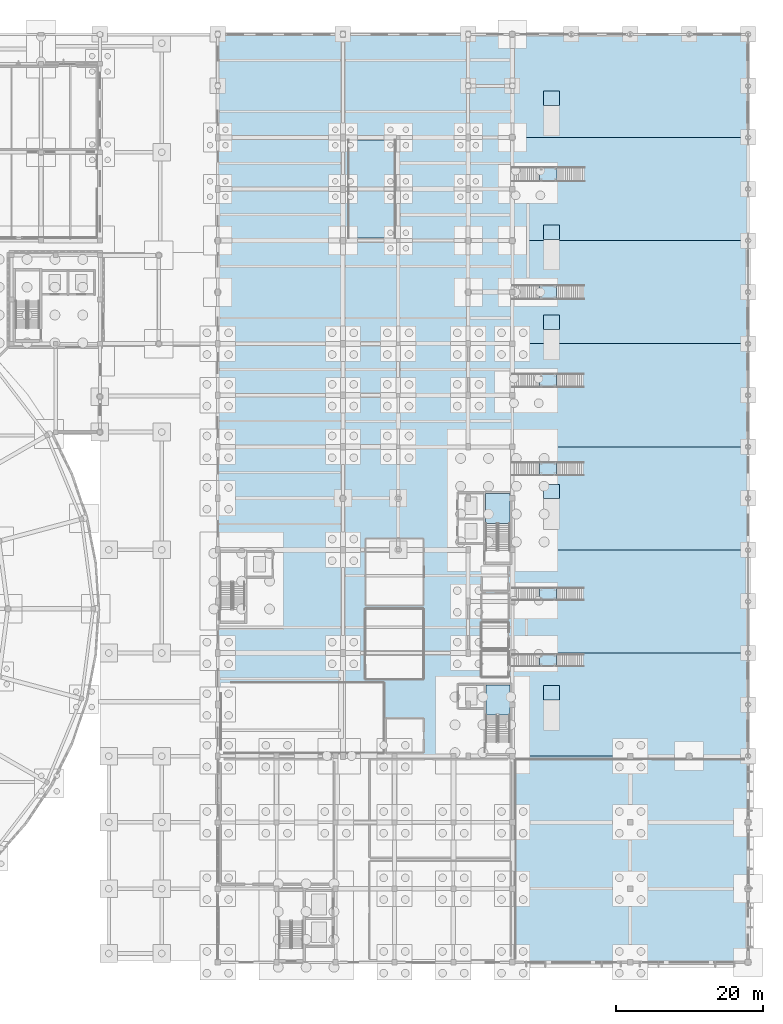
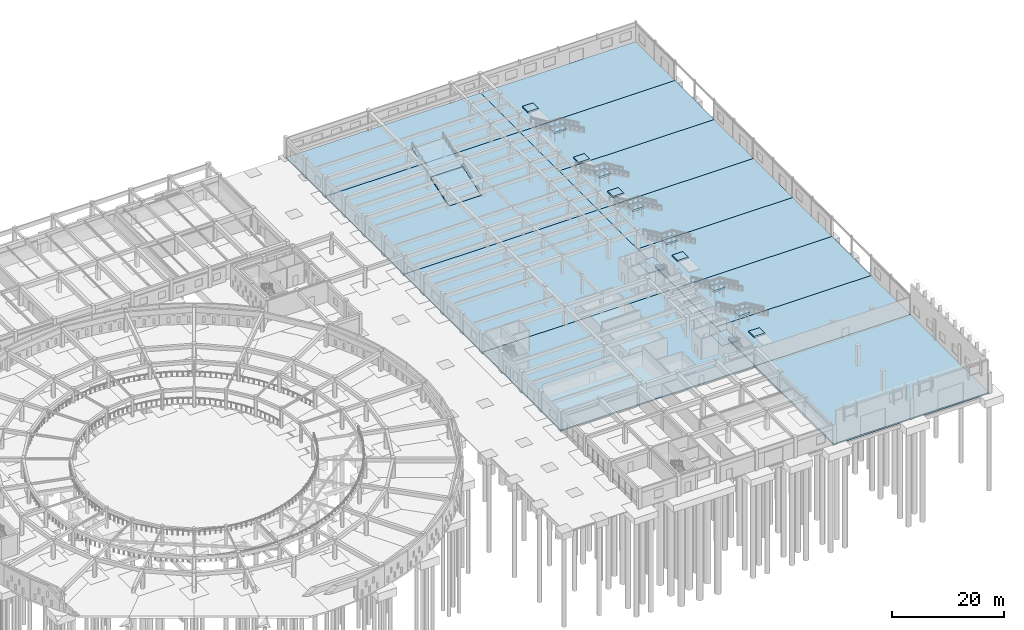
# One storey, part 40 of 84: 27 slabs, 8 elements without a shape of their own.
"""IFC4 building model written with IfcOpenShell, lengths in metres."""

from ifc_helpers import new_model, si_unit, direction, frame, origin, place, context, subcontext, project, spatial, polyline, outline, extrude, material, layer, layer_set, type_object, element, aggregate, save


model = new_model("IFC4")

# Units and contexts
model_context = context("Model", 3, precision=1e-05, world=origin(), true_north=direction((0.0, 1.0)))
body_context = subcontext(model_context, "Body", "Model", "MODEL_VIEW")
ifc_project = project(units=[si_unit("LENGTHUNIT", "METRE"), si_unit("AREAUNIT", "SQUARE_METRE"), si_unit("VOLUMEUNIT", "CUBIC_METRE"), si_unit("PLANEANGLEUNIT", "RADIAN"), si_unit("MASSUNIT", "GRAM", prefix="KILO")], contexts=[model_context])

# Site, building, storey
site_placement = place(None, origin())
site = spatial("IfcSite", under=ifc_project, at=site_placement, CompositionType="ELEMENT")
building_placement = place(site_placement, origin())
building = spatial("IfcBuilding", under=site, at=building_placement, Name="Larkveld Mobility Hub", CompositionType="ELEMENT")
storey_placement = place(building_placement, origin())
storey = spatial("IfcBuildingStorey", under=building, at=storey_placement, Name="L00", CompositionType="ELEMENT", Elevation=0.0)

# Slabs
ifc_material_1 = material(Name="Concrete C40/50", Category="concrete")
ifc_layer_1 = layer(ifc_material_1, 0.27490234375, Name="Concrete C40/50", Category="concrete")
ifc_layer_set_1 = layer_set([ifc_layer_1], Name="Concrete C40/50")
slab_type_1 = type_object("IfcSlabType", Name="SL-BS-275", PredefinedType="BASESLAB", material=ifc_layer_set_1)
slab_1_placement = place(storey_placement, frame((0.0, 0.0, -0.27490234375)))
element("IfcSlab", 1, at=slab_1_placement, inside=storey, type_object=slab_type_1, Name="EV Wing and Sports Pavilion Slab L00-132", PredefinedType="BASESLAB", context=body_context, shape_type="SweptSolid", body=[
    extrude(outline(polyline([(112.0, 28.0), (152.0, 28.0), (152.0, 56.0), (112.0, 56.0), (112.0, 28.0)])), origin(), (0.0, 0.0, 1.0), 0.27490234375),
])
slab_2_placement = place(storey_placement, frame((0.0, 0.0, -0.27490234375)))
element("IfcSlab", 2, at=slab_2_placement, inside=storey, type_object=slab_type_1, Name="EV Wing and Sports Pavilion Slab L00-133", PredefinedType="BASESLAB", context=body_context, shape_type="SweptSolid", body=[
    extrude(outline(polyline([(112.0, 56.0), (152.0, 56.0), (152.0, 84.0), (112.0, 84.0), (112.0, 56.0)])), origin(), (0.0, 0.0, 1.0), 0.27490234375),
])
slab_3_placement = place(storey_placement, frame((0.0, 0.0, -0.27490234375)))
element("IfcSlab", 3, at=slab_3_placement, inside=storey, type_object=slab_type_1, Name="EV Wing and Sports Pavilion Slab L00-134", PredefinedType="BASESLAB", context=body_context, shape_type="SweptSolid", body=[
    extrude(outline(polyline([(112.0, 84.0), (152.0, 84.0), (152.0, 112.0), (112.0, 112.0), (112.0, 84.0)]), holes=[polyline([(129.580078125, 98.330078125), (129.580078125, 99.14990234375), (136.219970703125, 99.14990234375), (136.219970703125, 98.330078125), (129.580078125, 98.330078125)])]), origin(), (0.0, 0.0, 1.0), 0.27490234375),
])
slab_4_placement = place(storey_placement, frame((0.0, 0.0, -0.27490234375)))
element("IfcSlab", 4, at=slab_4_placement, inside=storey, type_object=slab_type_1, Name="EV Wing and Sports Pavilion Slab L00-135", PredefinedType="BASESLAB", context=body_context, shape_type="SweptSolid", body=[
    extrude(outline(polyline([(112.0, 112.0), (152.0, 112.0), (152.0, 126.0), (112.0, 126.0), (112.0, 112.0)])), origin(), (0.0, 0.0, 1.0), 0.27490234375),
])
ifc_layer_2 = layer(ifc_material_1, 0.300048828125, Name="Concrete C40/50", Category="concrete")
ifc_layer_set_2 = layer_set([ifc_layer_2], Name="Concrete C40/50")
slab_type_2 = type_object("IfcSlabType", Name="SL-BS-300", PredefinedType="BASESLAB", material=ifc_layer_set_2)
slab_5_placement = place(storey_placement, frame((0.0, 0.0, -0.300048828125)))
element("IfcSlab", 5, at=slab_5_placement, inside=storey, type_object=slab_type_2, Name="Bus Concourse Base Slab L00-114", PredefinedType="BASESLAB", context=body_context, shape_type="SweptSolid", body=[
    extrude(outline(polyline([(152.0, 42.0), (184.0, 42.0), (184.0, 56.0), (152.0, 56.0), (152.0, 42.0)])), origin(), (0.0, 0.0, 1.0), 0.300048828125),
])
slab_6_placement = place(storey_placement, frame((0.0, 0.0, -0.300048828125)))
element("IfcSlab", 6, at=slab_6_placement, inside=storey, type_object=slab_type_2, Name="Bus Concourse Base Slab L00-116", PredefinedType="BASESLAB", context=body_context, shape_type="SweptSolid", body=[
    extrude(outline(polyline([(152.0, 70.0), (184.0, 70.0), (184.0, 84.0), (152.0, 84.0), (152.0, 70.0)])), origin(), (0.0, 0.0, 1.0), 0.300048828125),
])
slab_7_placement = place(storey_placement, frame((0.0, 0.0, -0.300048828125)))
element("IfcSlab", 7, at=slab_7_placement, inside=storey, type_object=slab_type_2, Name="Bus Concourse Base Slab L00-118", PredefinedType="BASESLAB", context=body_context, shape_type="SweptSolid", body=[
    extrude(outline(polyline([(152.0, 98.0), (184.0, 98.0), (184.0, 112.0), (152.0, 112.0), (152.0, 98.0)])), origin(), (0.0, 0.0, 1.0), 0.300048828125),
])
slab_8_placement = place(storey_placement, frame((0.0, 0.0, -0.300048828125)))
element("IfcSlab", 8, at=slab_8_placement, inside=storey, type_object=slab_type_2, Name="Service Centre Slab L00-121", PredefinedType="BASESLAB", context=body_context, shape_type="SweptSolid", body=[
    extrude(outline(polyline([(152.0, 0.0), (184.0, 0.0), (184.0, 28.0), (152.0, 28.0), (152.0, 0.0)])), origin(), (0.0, 0.0, 1.0), 0.300048828125),
])
slab_9_placement = place(storey_placement, frame((0.0, 0.0, -0.02001953125)))
element("IfcSlab", 9, at=slab_9_placement, inside=storey, type_object=slab_type_2, Name="Bus Boarding Raised Platform 1 L00-163", PredefinedType="BASESLAB", context=body_context, shape_type="SweptSolid", body=[
    extrude(outline(polyline([(156.199951171875, 35.64990234375), (158.39990234375, 35.64990234375), (158.39990234375, 37.60009765625), (156.199951171875, 37.60009765625), (156.199951171875, 35.64990234375)])), origin(), (0.0, 0.0, 1.0), 0.300048828125),
])
slab_10_placement = place(storey_placement, frame((0.0, 0.0, -0.02001953125)))
element("IfcSlab", 10, at=slab_10_placement, inside=storey, type_object=slab_type_2, Name="Bus Boarding Raised Platform 2 L00-164", PredefinedType="BASESLAB", context=body_context, shape_type="SweptSolid", body=[
    extrude(outline(polyline([(156.199951171875, 62.949951171875), (158.39990234375, 62.949951171875), (158.39990234375, 64.89990234375), (156.199951171875, 64.89990234375), (156.199951171875, 62.949951171875)])), origin(), (0.0, 0.0, 1.0), 0.300048828125),
])
slab_11_placement = place(storey_placement, frame((0.0, 0.0, -0.02001953125)))
element("IfcSlab", 11, at=slab_11_placement, inside=storey, type_object=slab_type_2, Name="Bus Boarding Raised Platform 3 L00-165", PredefinedType="BASESLAB", context=body_context, shape_type="SweptSolid", body=[
    extrude(outline(polyline([(156.199951171875, 85.949951171875), (158.39990234375, 85.949951171875), (158.39990234375, 87.89990234375), (156.199951171875, 87.89990234375), (156.199951171875, 85.949951171875)])), origin(), (0.0, 0.0, 1.0), 0.300048828125),
])
slab_12_placement = place(storey_placement, frame((0.0, 0.0, -0.02001953125)))
element("IfcSlab", 12, at=slab_12_placement, inside=storey, type_object=slab_type_2, Name="Bus Boarding Raised Platform 4 L00-166", PredefinedType="BASESLAB", context=body_context, shape_type="SweptSolid", body=[
    extrude(outline(polyline([(156.199951171875, 98.14990234375), (158.39990234375, 98.14990234375), (158.39990234375, 100.10009765625), (156.199951171875, 100.10009765625), (156.199951171875, 98.14990234375)])), origin(), (0.0, 0.0, 1.0), 0.300048828125),
])
slab_13_placement = place(storey_placement, frame((0.0, 0.0, -0.02001953125)))
element("IfcSlab", 13, at=slab_13_placement, inside=storey, type_object=slab_type_2, Name="Bus Boarding Raised Platform 5 L00-167", PredefinedType="BASESLAB", context=body_context, shape_type="SweptSolid", body=[
    extrude(outline(polyline([(156.199951171875, 116.35009765625), (158.39990234375, 116.35009765625), (158.39990234375, 118.300048828125), (156.199951171875, 118.300048828125), (156.199951171875, 116.35009765625)])), origin(), (0.0, 0.0, 1.0), 0.300048828125),
])
ifc_layer_3 = layer(ifc_material_1, 0.324951171875, Name="Concrete C40/50", Category="concrete")
ifc_layer_set_3 = layer_set([ifc_layer_3], Name="Concrete C40/50")
slab_type_3 = type_object("IfcSlabType", Name="SL-BS-325", PredefinedType="BASESLAB", material=ifc_layer_set_3)
slab_14_placement = place(storey_placement, frame((0.0, 0.0, -0.324951171875)))
element("IfcSlab", 14, at=slab_14_placement, inside=storey, type_object=slab_type_3, Name="Bus Concourse Base Slab L00-113", PredefinedType="BASESLAB", context=body_context, shape_type="SweptSolid", body=[
    extrude(outline(polyline([(152.0, 28.0), (184.0, 28.0), (184.0, 42.0), (152.0, 42.0), (152.0, 28.0)])), origin(), (0.0, 0.0, 1.0), 0.324951171875),
])
slab_15_placement = place(storey_placement, frame((0.0, 0.0, -0.324951171875)))
element("IfcSlab", 15, at=slab_15_placement, inside=storey, type_object=slab_type_3, Name="Bus Concourse Base Slab L00-115", PredefinedType="BASESLAB", context=body_context, shape_type="SweptSolid", body=[
    extrude(outline(polyline([(152.0, 56.0), (184.0, 56.0), (184.0, 70.0), (152.0, 70.0), (152.0, 56.0)])), origin(), (0.0, 0.0, 1.0), 0.324951171875),
])
slab_16_placement = place(storey_placement, frame((0.0, 0.0, -0.324951171875)))
element("IfcSlab", 16, at=slab_16_placement, inside=storey, type_object=slab_type_3, Name="Bus Concourse Base Slab L00-117", PredefinedType="BASESLAB", context=body_context, shape_type="SweptSolid", body=[
    extrude(outline(polyline([(152.0, 84.0), (184.0, 84.0), (184.0, 98.0), (152.0, 98.0), (152.0, 84.0)])), origin(), (0.0, 0.0, 1.0), 0.324951171875),
])
slab_17_placement = place(storey_placement, frame((0.0, 0.0, -0.324951171875)))
element("IfcSlab", 17, at=slab_17_placement, inside=storey, type_object=slab_type_3, Name="Bus Concourse Base Slab L00-119", PredefinedType="BASESLAB", context=body_context, shape_type="SweptSolid", body=[
    extrude(outline(polyline([(152.0, 112.0), (184.0, 112.0), (184.0, 126.0), (152.0, 126.0), (152.0, 112.0)])), origin(), (0.0, 0.0, 1.0), 0.324951171875),
])

# Stair, slab
stair_type_1 = type_object("IfcStairType", Name="ST-HT-01", PredefinedType="HALF_TURN_STAIR", material=ifc_material_1)
stair_1_placement = place(storey_placement, origin())
stair_1 = element("IfcStair", 18, at=stair_1_placement, inside=storey, type_object=stair_type_1, Name="L00 Protected Escape Stair ST1", PredefinedType="HALF_TURN_STAIR")
ifc_layer_4 = layer(ifc_material_1, 0.175048828125, Name="Concrete C40/50", Category="concrete")
ifc_layer_set_4 = layer_set([ifc_layer_4], Name="Concrete C40/50")
slab_type_4 = type_object("IfcSlabType", Name="SL-LND-01", PredefinedType="LANDING", material=ifc_layer_set_4)
slab_18_placement = place(storey_placement, frame((0.0, 0.0, 2.074951171875)))
slab_18 = element("IfcSlab", 19, at=slab_18_placement, type_object=slab_type_4, Name="ST1 landing 1", PredefinedType="LANDING", context=body_context, shape_type="SweptSolid", body=[
    extrude(outline(polyline([(151.64990234375, 33.60498046875), (151.64990234375, 37.64990234375), (148.39990234375, 37.64990234375), (148.39990234375, 33.60498046875), (151.64990234375, 33.60498046875)])), origin(), (0.0, 0.0, 1.0), 0.175048828125),
])
aggregate(stair_1, [slab_18])

stair_type_2 = type_object("IfcStairType", Name="ST-HT-02", PredefinedType="HALF_TURN_STAIR", material=ifc_material_1)
stair_2_placement = place(storey_placement, origin())
stair_2 = element("IfcStair", 20, at=stair_2_placement, inside=storey, type_object=stair_type_2, Name="L00 Protected Escape Stair ST2", PredefinedType="HALF_TURN_STAIR")
ifc_layer_5 = layer(ifc_material_1, 0.18505859375, Name="Concrete C40/50", Category="concrete")
ifc_layer_set_5 = layer_set([ifc_layer_5], Name="Concrete C40/50")
slab_type_5 = type_object("IfcSlabType", Name="SL-LND-02", PredefinedType="LANDING", material=ifc_layer_set_5)
slab_19_placement = place(storey_placement, frame((0.0, 0.0, 2.06494140625)))
slab_19 = element("IfcSlab", 21, at=slab_19_placement, type_object=slab_type_5, Name="ST2 landing 1", PredefinedType="LANDING", context=body_context, shape_type="SweptSolid", body=[
    extrude(outline(polyline([(151.64990234375, 59.614990234375), (151.64990234375, 63.64990234375), (148.3798828125, 63.64990234375), (148.3798828125, 59.614990234375), (151.64990234375, 59.614990234375)])), origin(), (0.0, 0.0, 1.0), 0.18505859375),
])
aggregate(stair_2, [slab_19])

ifc_material_2 = material(Name="Precast concrete C50/60", Category="concrete")
stair_type_3 = type_object("IfcStairType", Name="ST-SR-01", PredefinedType="STRAIGHT_RUN_STAIR", material=ifc_material_2)
stair_3_placement = place(storey_placement, origin())
stair_3 = element("IfcStair", 22, at=stair_3_placement, inside=storey, type_object=stair_type_3, Name="South Concourse Mezzanine Straight Stair FS1", PredefinedType="STRAIGHT_RUN_STAIR")
ifc_layer_6 = layer(ifc_material_2, 0.419921875, Name="Precast concrete C50/60", Category="concrete")
ifc_layer_set_6 = layer_set([ifc_layer_6], Name="Precast concrete C50/60")
slab_type_6 = type_object("IfcSlabType", Name="SL-LND-420", PredefinedType="LANDING", material=ifc_layer_set_6)
slab_20_placement = place(storey_placement, frame((0.0, 0.0, 1.830078125)))
slab_20 = element("IfcSlab", 23, at=slab_20_placement, type_object=slab_type_6, Name="FS1 landing 1", PredefinedType="LANDING", context=body_context, shape_type="SweptSolid", body=[
    extrude(outline(polyline([(157.969970703125, 41.85498046875), (155.719970703125, 41.85498046875), (155.719970703125, 40.14501953125), (157.969970703125, 40.14501953125), (157.969970703125, 41.85498046875)])), origin(), (0.0, 0.0, 1.0), 0.419921875),
])
aggregate(stair_3, [slab_20])

stair_type_4 = type_object("IfcStairType", Name="ST-SR-02", PredefinedType="STRAIGHT_RUN_STAIR", material=ifc_material_2)
stair_4_placement = place(storey_placement, origin())
stair_4 = element("IfcStair", 24, at=stair_4_placement, inside=storey, type_object=stair_type_4, Name="Ticketing Concourse Straight Stair FS2", PredefinedType="STRAIGHT_RUN_STAIR")
slab_21_placement = place(storey_placement, frame((0.0, 0.0, 1.830078125)))
slab_21 = element("IfcSlab", 25, at=slab_21_placement, type_object=slab_type_6, Name="FS2 landing 1", PredefinedType="LANDING", context=body_context, shape_type="SweptSolid", body=[
    extrude(outline(polyline([(157.969970703125, 50.885009765625), (155.719970703125, 50.885009765625), (155.719970703125, 49.114990234375), (157.969970703125, 49.114990234375), (157.969970703125, 50.885009765625)])), origin(), (0.0, 0.0, 1.0), 0.419921875),
])
aggregate(stair_4, [slab_21])

stair_type_5 = type_object("IfcStairType", Name="ST-SR-03", PredefinedType="STRAIGHT_RUN_STAIR", material=ifc_material_2)
stair_5_placement = place(storey_placement, origin())
stair_5 = element("IfcStair", 26, at=stair_5_placement, inside=storey, type_object=stair_type_5, Name="Central Bus Hall Straight Stair FS3", PredefinedType="STRAIGHT_RUN_STAIR")
slab_22_placement = place(storey_placement, frame((0.0, 0.0, 1.830078125)))
slab_22 = element("IfcSlab", 27, at=slab_22_placement, type_object=slab_type_6, Name="FS3 landing 1", PredefinedType="LANDING", context=body_context, shape_type="SweptSolid", body=[
    extrude(outline(polyline([(157.969970703125, 67.9150390625), (155.719970703125, 67.9150390625), (155.719970703125, 66.0849609375), (157.969970703125, 66.0849609375), (157.969970703125, 67.9150390625)])), origin(), (0.0, 0.0, 1.0), 0.419921875),
])
aggregate(stair_5, [slab_22])

stair_type_6 = type_object("IfcStairType", Name="ST-SR-04", PredefinedType="STRAIGHT_RUN_STAIR", material=ifc_material_2)
stair_6_placement = place(storey_placement, origin())
stair_6 = element("IfcStair", 28, at=stair_6_placement, inside=storey, type_object=stair_type_6, Name="Intermodal Transfer Straight Stair FS4", PredefinedType="STRAIGHT_RUN_STAIR")
slab_23_placement = place(storey_placement, frame((0.0, 0.0, 1.830078125)))
slab_23 = element("IfcSlab", 29, at=slab_23_placement, type_object=slab_type_6, Name="FS4 landing 1", PredefinedType="LANDING", context=body_context, shape_type="SweptSolid", body=[
    extrude(outline(polyline([(157.969970703125, 79.945068359375), (155.719970703125, 79.945068359375), (155.719970703125, 78.054931640625), (157.969970703125, 78.054931640625), (157.969970703125, 79.945068359375)])), origin(), (0.0, 0.0, 1.0), 0.419921875),
])
aggregate(stair_6, [slab_23])

stair_type_7 = type_object("IfcStairType", Name="ST-SR-05", PredefinedType="STRAIGHT_RUN_STAIR", material=ifc_material_2)
stair_7_placement = place(storey_placement, origin())
stair_7 = element("IfcStair", 30, at=stair_7_placement, inside=storey, type_object=stair_type_7, Name="Taxi Concourse South Straight Stair FS5", PredefinedType="STRAIGHT_RUN_STAIR")
slab_24_placement = place(storey_placement, frame((0.0, 0.0, 1.830078125)))
slab_24 = element("IfcSlab", 31, at=slab_24_placement, type_object=slab_type_6, Name="FS5 landing 1", PredefinedType="LANDING", context=body_context, shape_type="SweptSolid", body=[
    extrude(outline(polyline([(158.02001953125, 91.97509765625), (155.719970703125, 91.97509765625), (155.719970703125, 90.02490234375), (158.02001953125, 90.02490234375), (158.02001953125, 91.97509765625)])), origin(), (0.0, 0.0, 1.0), 0.419921875),
])
aggregate(stair_7, [slab_24])

stair_type_8 = type_object("IfcStairType", Name="ST-SR-06", PredefinedType="STRAIGHT_RUN_STAIR", material=ifc_material_2)
stair_8_placement = place(storey_placement, origin())
stair_8 = element("IfcStair", 32, at=stair_8_placement, inside=storey, type_object=stair_type_8, Name="Taxi Concourse North Straight Stair FS6", PredefinedType="STRAIGHT_RUN_STAIR")
slab_25_placement = place(storey_placement, frame((0.0, 0.0, 1.830078125)))
slab_25 = element("IfcSlab", 33, at=slab_25_placement, type_object=slab_type_6, Name="FS6 landing 1", PredefinedType="LANDING", context=body_context, shape_type="SweptSolid", body=[
    extrude(outline(polyline([(158.080078125, 108.0048828125), (155.719970703125, 108.0048828125), (155.719970703125, 105.9951171875), (158.080078125, 105.9951171875), (158.080078125, 108.0048828125)])), origin(), (0.0, 0.0, 1.0), 0.419921875),
])
aggregate(stair_8, [slab_25])

# Slabs
ifc_layer_7 = layer(ifc_material_1, 0.239990234375, Name="Concrete C40/50", Category="concrete")
ifc_layer_set_7 = layer_set([ifc_layer_7], Name="Concrete C40/50")
slab_type_7 = type_object("IfcSlabType", Name="SL-RMP-EV-240", PredefinedType="FLOOR", material=ifc_layer_set_7)
for number, where, z_axis, x_axis, name in (
    (34, (129.60009765625, 98.35009765625, 0.0), (0.0, -0.320502085841, 0.947247809695), (1.0, 0.0, 0.0), "EV car park inter-deck vehicle ramp slab L00-1"),
    (35, (129.60009765625, 105.0, 2.25), (0.0, -0.320502085841, 0.947247809695), (1.0, 0.0, 0.0), "EV car park inter-deck vehicle ramp slab L00-2"),
):
    element("IfcSlab", number, at=place(storey_placement, frame(where, z_axis=z_axis, x_axis=x_axis)), inside=storey, type_object=slab_type_7, Name=name, PredefinedType="FLOOR", context=body_context, shape_type="SweptSolid", body=[
        extrude(outline(polyline([(0.0, 0.0), (6.599853515625, 0.0), (6.599853515625, 7.020235122943657), (0.0, 7.020235122943657), (0.0, 0.0)])), origin(), (0.0, 0.0, -1.0), 0.239990234375),
    ])

save(model, "model.ifc")
